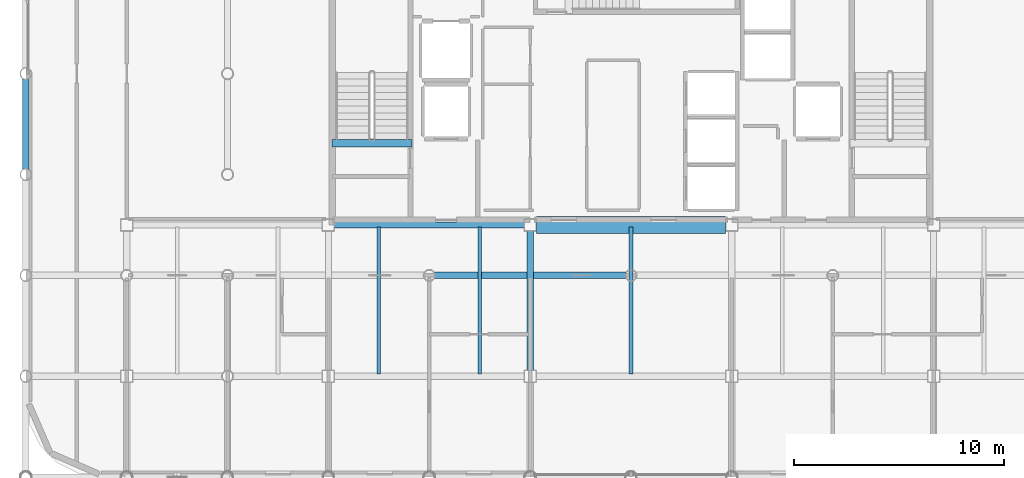
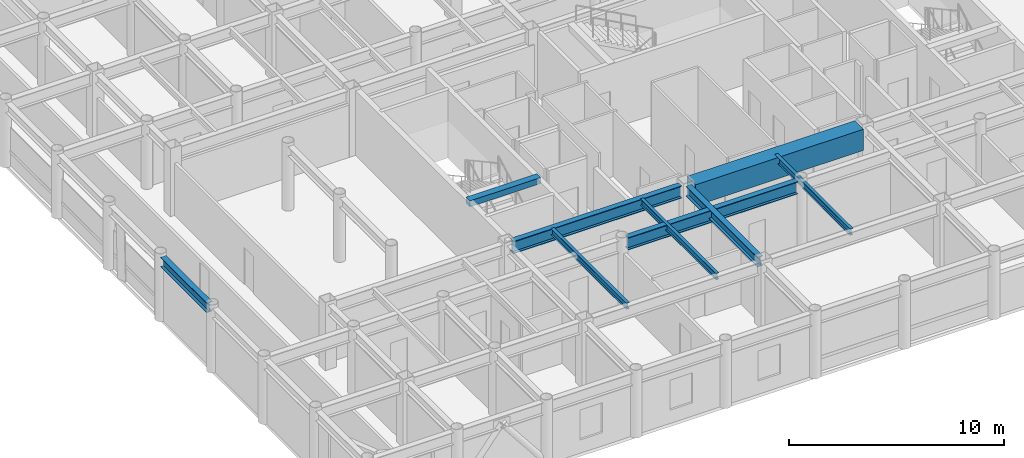
# One storey, part 5 of 22: 9 beams.
"""IFC4 building model written with IfcOpenShell, lengths in metres."""

from ifc_helpers import new_model, si_unit, direction, frame, origin, origin_2d, place, context, subcontext, project, spatial, rectangle, i_section, extrude, material, material_profile, profile_set, type_object, element, save


model = new_model("IFC4")

# Units and contexts
model_context = context("Model", 3, precision=1e-05, world=origin(), true_north=direction((0.0, 1.0)))
body_context = subcontext(model_context, "Body", "Model", "MODEL_VIEW")
ifc_project = project(units=[si_unit("LENGTHUNIT", "METRE"), si_unit("AREAUNIT", "SQUARE_METRE"), si_unit("VOLUMEUNIT", "CUBIC_METRE"), si_unit("PLANEANGLEUNIT", "RADIAN"), si_unit("MASSUNIT", "GRAM", prefix="KILO")], contexts=[model_context])

# Site, building, storey
site_placement = place(None, origin())
site = spatial("IfcSite", under=ifc_project, at=site_placement, CompositionType="ELEMENT")
building_placement = place(site_placement, origin())
building = spatial("IfcBuilding", under=site, at=building_placement, Name="Kallvorn Hotel Tower", CompositionType="ELEMENT")
storey_placement = place(building_placement, frame((0.0, 0.0, 241.550048828125)))
storey = spatial("IfcBuildingStorey", under=building, at=storey_placement, Name="L60", CompositionType="ELEMENT", Elevation=241.550048828125)

# Beams
ifc_material_1 = material(Name="Structural steel S355JR", Category="steel")
ifc_material_profile_1 = material_profile(ifc_material_1, i_section(OverallWidth=0.300048828125, OverallDepth=0.550048828125, WebThickness=0.014892578125, FlangeThickness=0.029052734375, at=origin_2d()), Name="HE 550 B")
ifc_profile_set_1 = profile_set([ifc_material_profile_1], Name="Structural steel S355JR")
beam_type_1 = type_object("IfcBeamType", Name="BM_HE550B", PredefinedType="SPANDREL", material=ifc_profile_set_1)
beam_1_placement = place(storey_placement, frame((-28.800048828125, -4.54541015625, 3.39501953125), z_axis=(0.0, 1.0, 0.0), x_axis=(-1.0, 0.0, 0.0)))
element("IfcBeam", 1, at=beam_1_placement, inside=storey, type_object=beam_type_1, Name="L61 Primary Y-Girder 76", PredefinedType="SPANDREL", context=body_context, shape_type="SweptSolid", body=[
    extrude(i_section(OverallWidth=0.300048828125, OverallDepth=0.550048828125, WebThickness=0.014892578125, FlangeThickness=0.029052734375, at=origin_2d()), origin(), (0.0, 0.0, 1.0), 4.291015625),
])
beam_2_placement = place(storey_placement, frame((-4.800048828125, -14.125, 3.39501953125), z_axis=(0.0, 1.0, 0.0), x_axis=(-1.0, 0.0, 0.0)))
element("IfcBeam", 2, at=beam_2_placement, inside=storey, type_object=beam_type_1, Name="L61 Primary Y-Girder 106", PredefinedType="SPANDREL", context=body_context, shape_type="SweptSolid", body=[
    extrude(i_section(OverallWidth=0.300048828125, OverallDepth=0.550048828125, WebThickness=0.014892578125, FlangeThickness=0.029052734375, at=origin_2d()), origin(), (0.0, 0.0, 1.0), 6.64990234375),
])
ifc_material_2 = material(Name="Structural steel S355JR", Category="steel")
ifc_material_profile_2 = material_profile(ifc_material_2, i_section(OverallWidth=0.300048828125, OverallDepth=0.699951171875, WebThickness=0.01708984375, FlangeThickness=0.031982421875, at=origin_2d()), Name="HE 700 B")
ifc_profile_set_2 = profile_set([ifc_material_profile_2], Name="Structural steel S355JR")
beam_type_2 = type_object("IfcBeamType", Name="BM_HE700B", PredefinedType="BEAM", material=ifc_profile_set_2)
beam_3_placement = place(storey_placement, frame((-9.345458984375, -9.60009765625, 3.320068359375), z_axis=(1.0, 0.0, 0.0), x_axis=(0.0, 1.0, 0.0)))
element("IfcBeam", 3, at=beam_3_placement, inside=storey, type_object=beam_type_2, Name="L61 Primary X-Girder 26", PredefinedType="BEAM", context=body_context, shape_type="SweptSolid", body=[
    extrude(i_section(OverallWidth=0.300048828125, OverallDepth=0.699951171875, WebThickness=0.01708984375, FlangeThickness=0.031982421875, at=origin_2d()), origin(), (0.0, 0.0, 1.0), 9.091064453125),
])
beam_4_placement = place(storey_placement, frame((-14.125, -7.199951171875, 3.320068359375), z_axis=(1.0, 0.0, 0.0), x_axis=(0.0, 1.0, 0.0)))
element("IfcBeam", 4, at=beam_4_placement, inside=storey, type_object=beam_type_2, Name="L61 Primary X-Girder 33", PredefinedType="BEAM", context=body_context, shape_type="SweptSolid", body=[
    extrude(i_section(OverallWidth=0.300048828125, OverallDepth=0.699951171875, WebThickness=0.01708984375, FlangeThickness=0.031982421875, at=origin_2d()), origin(), (0.0, 0.0, 1.0), 9.050048828125),
])
ifc_material_3 = material(Name="Structural steel S355JR", Category="steel")
ifc_material_profile_3 = material_profile(ifc_material_3, i_section(OverallWidth=0.169921875, OverallDepth=0.360107421875, WebThickness=0.008056640625, FlangeThickness=0.0126953125, at=origin_2d()), Name="IPE 360")
ifc_profile_set_3 = profile_set([ifc_material_profile_3], Name="Structural steel S355JR")
beam_type_3 = type_object("IfcBeamType", Name="BM_IPE360", PredefinedType="JOIST", material=ifc_profile_set_3)
for number, where, z_axis, x_axis, name in (
    (5, (-12.0, -14.300048828125, 3.489990234375), (0.0, 1.0, 0.0), (-1.0, 0.0, 0.0), "L61 Secondary Composite Joist 196"),
    (6, (-7.199951171875, -14.300048828125, 3.489990234375), (0.0, 1.0, 0.0), (-1.0, 0.0, 0.0), "L61 Secondary Composite Joist 198"),
    (7, (0.0, -14.300048828125, 3.489990234375), (0.0, 1.0, 0.0), (-1.0, 0.0, 0.0), "L61 Secondary Composite Joist 200"),
):
    element("IfcBeam", number, at=place(storey_placement, frame(where, z_axis=z_axis, x_axis=x_axis)), inside=storey, type_object=beam_type_3, Name=name, PredefinedType="JOIST", context=body_context, shape_type="SweptSolid", body=[
        extrude(i_section(OverallWidth=0.169921875, OverallDepth=0.360107421875, WebThickness=0.008056640625, FlangeThickness=0.0126953125, at=origin_2d()), origin(), (0.0, 0.0, 1.0), 7.0),
    ])
ifc_material_4 = material(Name="Concrete C50/60", Category="concrete")
ifc_material_profile_4 = material_profile(ifc_material_4, rectangle(XDim=0.360107421875, YDim=0.340087890625, at=origin_2d()), Name="RC 360x340")
ifc_profile_set_4 = profile_set([ifc_material_profile_4], Name="Concrete C50/60")
beam_type_4 = type_object("IfcBeamType", Name="BM_RC_400x360", PredefinedType="BEAM", material=ifc_profile_set_4)
beam_5_placement = place(storey_placement, frame((-10.419921875, -3.31005859375, 3.5), z_axis=(-1.0, 0.0, 0.0), x_axis=(0.0, -1.0, 0.0)))
element("IfcBeam", 8, at=beam_5_placement, inside=storey, type_object=beam_type_4, Name="L61 Stair ST1 Arrival Trimmer Beam", PredefinedType="BEAM", context=body_context, shape_type="SweptSolid", body=[
    extrude(rectangle(XDim=0.360107421875, YDim=0.340087890625, at=origin_2d()), origin(), (0.0, 0.0, 1.0), 3.820068359375),
])
ifc_material_5 = material(Name="Concrete C50/60", Category="concrete")
ifc_material_profile_5 = material_profile(ifc_material_5, rectangle(XDim=0.800048828125, YDim=1.199951171875, at=origin_2d()), Name="RC 800x1200")
ifc_profile_set_5 = profile_set([ifc_material_profile_5], Name="Concrete C50/60")
beam_type_5 = type_object("IfcBeamType", Name="BM_RC_800x1200", PredefinedType="T_BEAM", material=ifc_profile_set_5)
beam_6_placement = place(storey_placement, frame((-4.5, -7.199951171875, 3.070068359375), z_axis=(1.0, 0.0, 0.0), x_axis=(0.0, 1.0, 0.0)))
element("IfcBeam", 9, at=beam_6_placement, inside=storey, type_object=beam_type_5, Name="L60 Core Coupling Beam South", PredefinedType="T_BEAM", context=body_context, shape_type="SweptSolid", body=[
    extrude(rectangle(XDim=0.800048828125, YDim=1.199951171875, at=origin_2d()), origin(), (0.0, 0.0, 1.0), 9.0),
])

save(model, "model.ifc")
